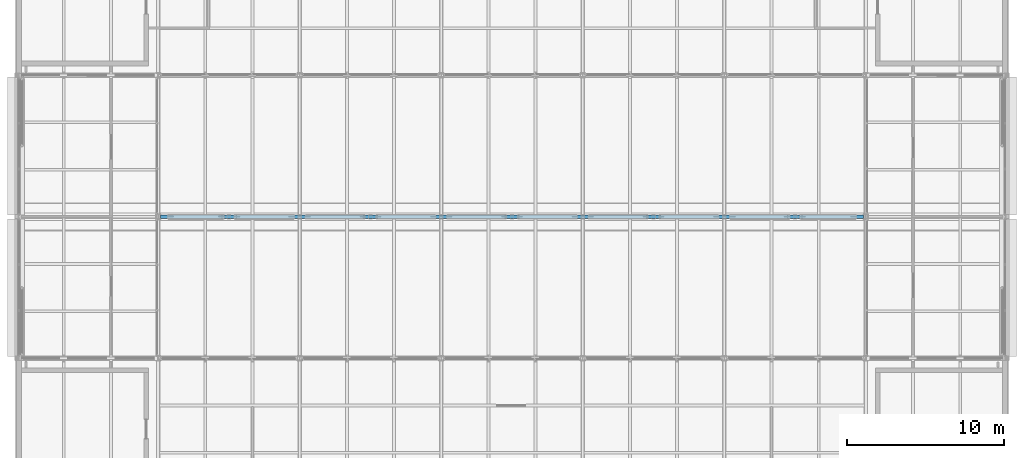
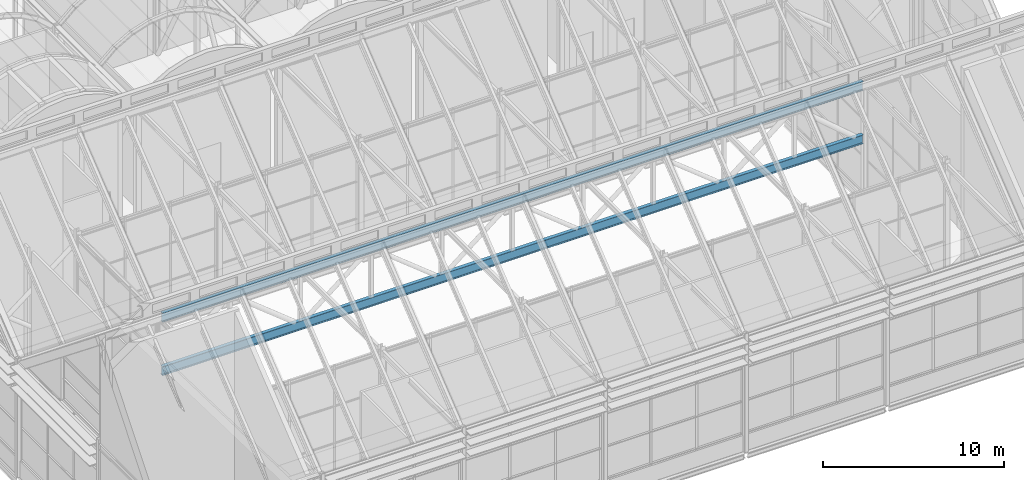
# One storey, part 45 of 144: 2 beams.
"""IFC4 building model written with IfcOpenShell, lengths in metres."""

from ifc_helpers import new_model, si_unit, direction, frame, origin, origin_2d, place, context, subcontext, project, spatial, i_section, extrude, material, material_profile, profile_set, type_object, element, save


model = new_model("IFC4")

# Units and contexts
model_context = context("Model", 3, precision=1e-05, world=origin(), true_north=direction((0.0, 1.0)))
body_context = subcontext(model_context, "Body", "Model", "MODEL_VIEW")
ifc_project = project(units=[si_unit("LENGTHUNIT", "METRE"), si_unit("AREAUNIT", "SQUARE_METRE"), si_unit("VOLUMEUNIT", "CUBIC_METRE"), si_unit("PLANEANGLEUNIT", "RADIAN"), si_unit("MASSUNIT", "GRAM", prefix="KILO")], contexts=[model_context])

# Site, building, storey
site_placement = place(None, origin())
site = spatial("IfcSite", under=ifc_project, at=site_placement, CompositionType="ELEMENT")
building_placement = place(site_placement, origin())
building = spatial("IfcBuilding", under=site, at=building_placement, Name="Shorebreak Coast Museum", CompositionType="ELEMENT")
storey_placement = place(building_placement, frame((0.0, 0.0, 36.0)))
storey = spatial("IfcBuildingStorey", under=building, at=storey_placement, Name="L06", CompositionType="ELEMENT", Elevation=36.0)

# Beams
ifc_material = material(Name="Steel Grade 300", Category="steel")
ifc_material_profile = material_profile(ifc_material, i_section(OverallWidth=0.22900390625, OverallDepth=0.612060546875, WebThickness=0.011962890625, FlangeThickness=0.01953125, FilletRadius=0.013916015625, at=origin_2d()), Name="610UB125")
ifc_profile_set = profile_set([ifc_material_profile], Name="Steel Grade 300")
beam_type = type_object("IfcBeamType", Name="Atrium roof truss chord 610UB125", PredefinedType="BEAM", material=ifc_profile_set)
for number, where, z_axis, x_axis, name in (
    (1, (63.155517578125, 72.0, 3.929443359375), (1.0, 0.0, 0.0), (0.0, 1.0, 0.0), "Atrium roof truss TA3 chord C01"),
    (2, (63.155517578125, 72.0, 7.529541015625), (1.0, 0.0, 0.0), (0.0, 1.0, 0.0), "Atrium roof truss TA3 chord C02"),
):
    element("IfcBeam", number, at=place(storey_placement, frame(where, z_axis=z_axis, x_axis=x_axis)), inside=storey, type_object=beam_type, Name=name, PredefinedType="BEAM", context=body_context, shape_type="SweptSolid", body=[
        extrude(i_section(OverallWidth=0.22900390625, OverallDepth=0.612060546875, WebThickness=0.011962890625, FlangeThickness=0.01953125, FilletRadius=0.013916015625, at=origin_2d()), origin(), (0.0, 0.0, 1.0), 44.68896484375),
    ])

save(model, "model.ifc")
